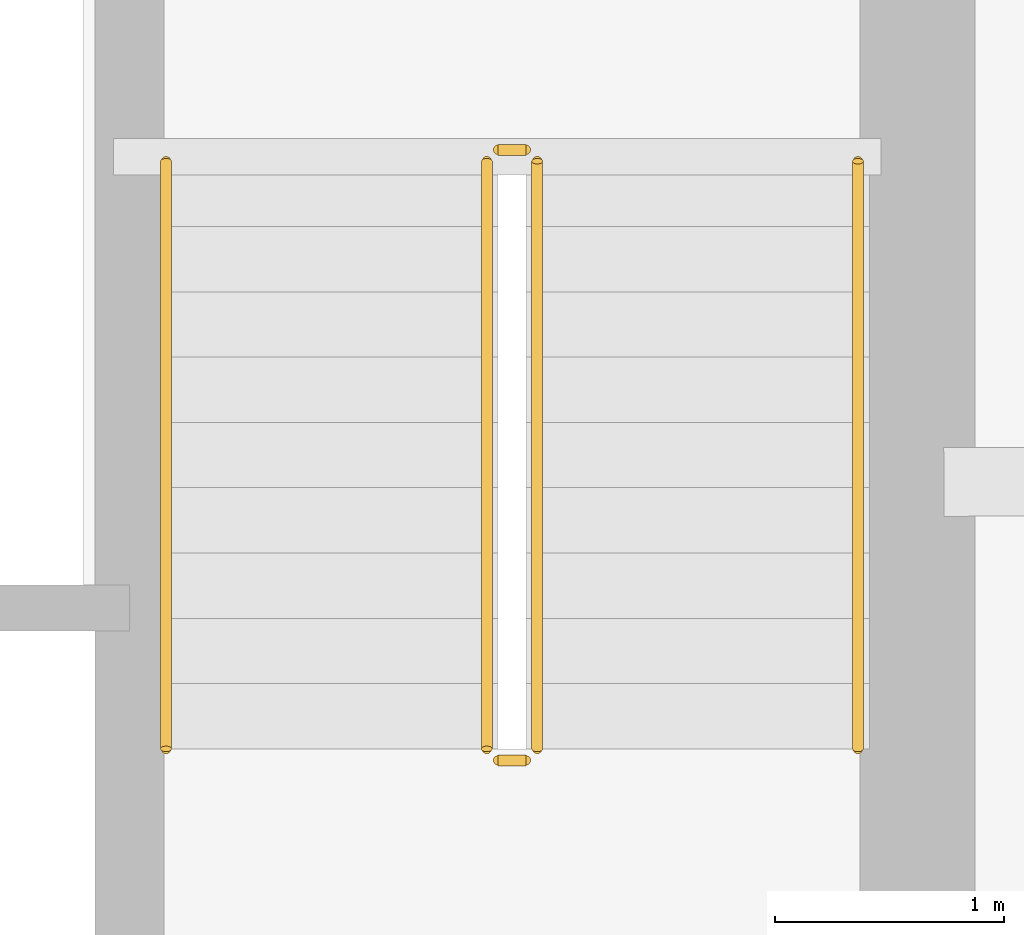
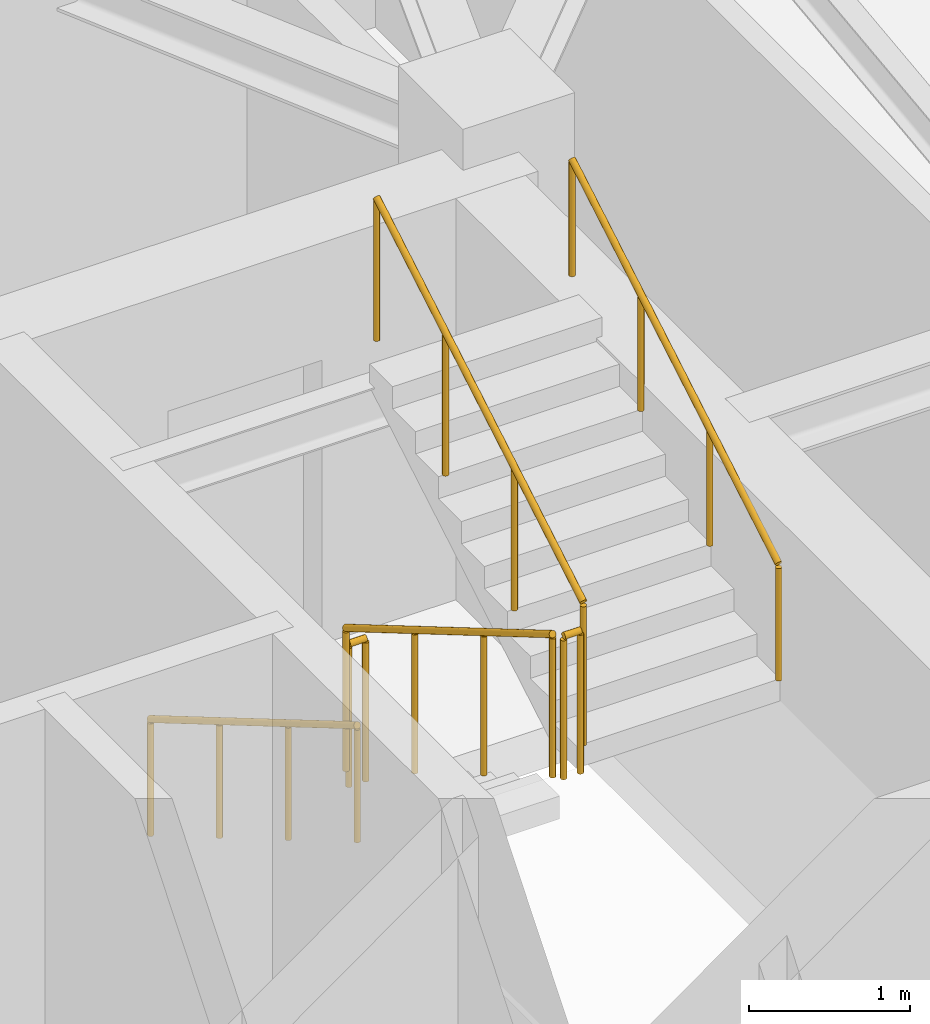
# One storey, part 13 of 13: 6 railings.
"""IFC4 building model written with IfcOpenShell, lengths in metres."""

from ifc_helpers import new_model, si_unit, direction, frame, origin, origin_2d, place, context, subcontext, project, spatial, circle, extrude, material, type_object, element, save


model = new_model("IFC4")

# Units and contexts
model_context = context("Model", 3, precision=1e-05, world=origin(), true_north=direction((0.0, 1.0)))
body_context = subcontext(model_context, "Body", "Model", "MODEL_VIEW")
ifc_project = project(units=[si_unit("LENGTHUNIT", "METRE"), si_unit("AREAUNIT", "SQUARE_METRE"), si_unit("VOLUMEUNIT", "CUBIC_METRE"), si_unit("PLANEANGLEUNIT", "RADIAN"), si_unit("MASSUNIT", "GRAM", prefix="KILO")], contexts=[model_context])

# Site, building, storey
site_placement = place(None, origin())
site = spatial("IfcSite", under=ifc_project, at=site_placement, CompositionType="ELEMENT")
building_placement = place(site_placement, origin())
building = spatial("IfcBuilding", under=site, at=building_placement, Name="Qobustan Lattice House", CompositionType="ELEMENT")
storey_placement = place(building_placement, frame((0.0, 0.0, 196.39990234375)))
storey = spatial("IfcBuildingStorey", under=building, at=storey_placement, Name="L55", CompositionType="ELEMENT", Elevation=196.39990234375)

# Railings
ifc_material_1 = material(Name="Brushed stainless steel handrail", Category="steel")
railing_type_1 = type_object("IfcRailingType", Name="RAL-HR-920", PredefinedType="HANDRAIL", material=ifc_material_1)
railing_1_placement = place(storey_placement, frame((15.179931640625, 3.5, 0.16748046875)))
element("IfcRailing", 1, at=railing_1_placement, inside=storey, type_object=railing_type_1, Name="L55 ST-E1 stair handrail 1", PredefinedType="HANDRAIL", context=body_context, shape_type="SweptSolid", body=[
    extrude(circle(Radius=0.02392578125, at=origin_2d()), frame((0.0, 0.0, 0.8759765625), z_axis=(0.0, -0.862113467892, 0.50671527358), x_axis=(1.0, 0.0, 0.0)), (0.0, 0.0, 1.0), 2.97509765625),
    extrude(circle(Radius=0.02099609375, at=origin_2d()), origin(), (0.0, 0.0, 1.0), 0.851806640625),
    extrude(circle(Radius=0.02099609375, at=origin_2d()), frame((0.0, -0.85498046875, 0.50244140625)), (0.0, 0.0, 1.0), 0.851806640625),
    extrude(circle(Radius=0.02099609375, at=origin_2d()), frame((0.0, -1.7099609375, 1.005126953125)), (0.0, 0.0, 1.0), 0.851806640625),
    extrude(circle(Radius=0.02099609375, at=origin_2d()), frame((0.0, -2.56494140625, 1.507568359375)), (0.0, 0.0, 1.0), 0.851806640625),
])
railing_2_placement = place(storey_placement, frame((18.199951171875, 0.93505859375, 1.842529296875)))
element("IfcRailing", 2, at=railing_2_placement, inside=storey, type_object=railing_type_1, Name="L55 ST-E1 stair handrail 2", PredefinedType="HANDRAIL", context=body_context, shape_type="SweptSolid", body=[
    extrude(circle(Radius=0.02392578125, at=origin_2d()), frame((0.0, 0.0, 0.8759765625), z_axis=(0.0, 0.862113467892, 0.50671527358), x_axis=(-1.0, 0.0, 0.0)), (0.0, 0.0, 1.0), 2.97509765625),
    extrude(circle(Radius=0.02099609375, at=origin_2d()), origin(), (0.0, 0.0, 1.0), 0.851806640625),
    extrude(circle(Radius=0.02099609375, at=origin_2d()), frame((0.0, 0.85498046875, 0.50244140625)), (0.0, 0.0, 1.0), 0.851806640625),
    extrude(circle(Radius=0.02099609375, at=origin_2d()), frame((0.0, 1.7099609375, 1.005126953125)), (0.0, 0.0, 1.0), 0.851806640625),
    extrude(circle(Radius=0.02099609375, at=origin_2d()), frame((0.0, 2.56494140625, 1.507568359375)), (0.0, 0.0, 1.0), 0.851806640625),
])
ifc_material_2 = material(Name="Painted galvanized steel guardrail", Category="steel")
railing_type_2 = type_object("IfcRailingType", Name="RAL-STG-1150", PredefinedType="GUARDRAIL", material=ifc_material_2)
railing_3_placement = place(storey_placement, frame((16.580078125, 3.5, 0.16748046875)))
element("IfcRailing", 3, at=railing_3_placement, inside=storey, type_object=railing_type_2, Name="L55 ST-E1 stair guard 1", PredefinedType="GUARDRAIL", context=body_context, shape_type="SweptSolid", body=[
    extrude(circle(Radius=0.02392578125, at=origin_2d()), frame((0.0, 0.0, 1.076171875), z_axis=(0.0, -0.862113467892, 0.50671527358), x_axis=(1.0, 0.0, 0.0)), (0.0, 0.0, 1.0), 2.97509765625),
    extrude(circle(Radius=0.02099609375, at=origin_2d()), origin(), (0.0, 0.0, 1.0), 1.052001953125),
    extrude(circle(Radius=0.02099609375, at=origin_2d()), frame((0.0, -0.85498046875, 0.50244140625)), (0.0, 0.0, 1.0), 1.052001953125),
    extrude(circle(Radius=0.02099609375, at=origin_2d()), frame((0.0, -1.7099609375, 1.005126953125)), (0.0, 0.0, 1.0), 1.052001953125),
    extrude(circle(Radius=0.02099609375, at=origin_2d()), frame((0.0, -2.56494140625, 1.507568359375)), (0.0, 0.0, 1.0), 1.052001953125),
])
railing_4_placement = place(storey_placement, frame((16.6298828125, 0.885009765625, 1.675048828125)))
element("IfcRailing", 4, at=railing_4_placement, inside=storey, type_object=railing_type_2, Name="L55 ST-E1 stair guard 2", PredefinedType="GUARDRAIL", context=body_context, shape_type="SweptSolid", body=[
    extrude(circle(Radius=0.02392578125, at=origin_2d()), frame((0.0, 0.0, 1.076171875), z_axis=(1.0, 0.0, 0.0), x_axis=(0.0, 1.0, 0.0)), (0.0, 0.0, 1.0), 0.1201171875),
    extrude(circle(Radius=0.02099609375, at=origin_2d()), origin(), (0.0, 0.0, 1.0), 1.052001953125),
    extrude(circle(Radius=0.02099609375, at=origin_2d()), frame((0.1201171875, 0.0, 0.0)), (0.0, 0.0, 1.0), 1.052001953125),
])
railing_5_placement = place(storey_placement, frame((16.800048828125, 0.93505859375, 1.842529296875)))
element("IfcRailing", 5, at=railing_5_placement, inside=storey, type_object=railing_type_2, Name="L55 ST-E1 stair guard 3", PredefinedType="GUARDRAIL", context=body_context, shape_type="SweptSolid", body=[
    extrude(circle(Radius=0.02392578125, at=origin_2d()), frame((0.0, 0.0, 1.076171875), z_axis=(0.0, 0.862113467892, 0.50671527358), x_axis=(-1.0, 0.0, 0.0)), (0.0, 0.0, 1.0), 2.97509765625),
    extrude(circle(Radius=0.02099609375, at=origin_2d()), origin(), (0.0, 0.0, 1.0), 1.052001953125),
    extrude(circle(Radius=0.02099609375, at=origin_2d()), frame((0.0, 0.85498046875, 0.50244140625)), (0.0, 0.0, 1.0), 1.052001953125),
    extrude(circle(Radius=0.02099609375, at=origin_2d()), frame((0.0, 1.7099609375, 1.005126953125)), (0.0, 0.0, 1.0), 1.052001953125),
    extrude(circle(Radius=0.02099609375, at=origin_2d()), frame((0.0, 2.56494140625, 1.507568359375)), (0.0, 0.0, 1.0), 1.052001953125),
])
railing_6_placement = place(storey_placement, frame((16.6298828125, 3.550048828125, 0.0)))
element("IfcRailing", 6, at=railing_6_placement, inside=storey, type_object=railing_type_2, Name="L55 ST-E1 stair guard 4", PredefinedType="GUARDRAIL", context=body_context, shape_type="SweptSolid", body=[
    extrude(circle(Radius=0.02392578125, at=origin_2d()), frame((0.0, 0.0, 1.076171875), z_axis=(1.0, 0.0, 0.0), x_axis=(0.0, 1.0, 0.0)), (0.0, 0.0, 1.0), 0.1201171875),
    extrude(circle(Radius=0.02099609375, at=origin_2d()), origin(), (0.0, 0.0, 1.0), 1.052001953125),
    extrude(circle(Radius=0.02099609375, at=origin_2d()), frame((0.1201171875, 0.0, 0.0)), (0.0, 0.0, 1.0), 1.052001953125),
])

save(model, "model.ifc")
